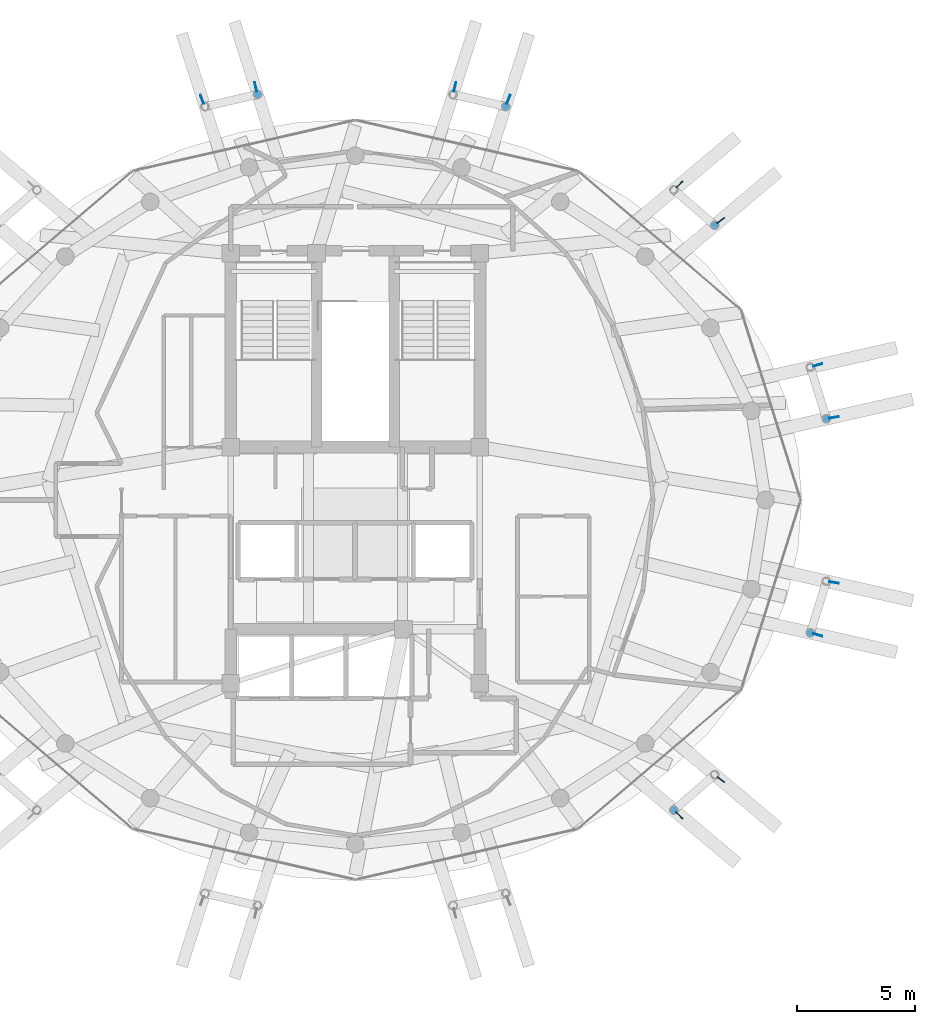
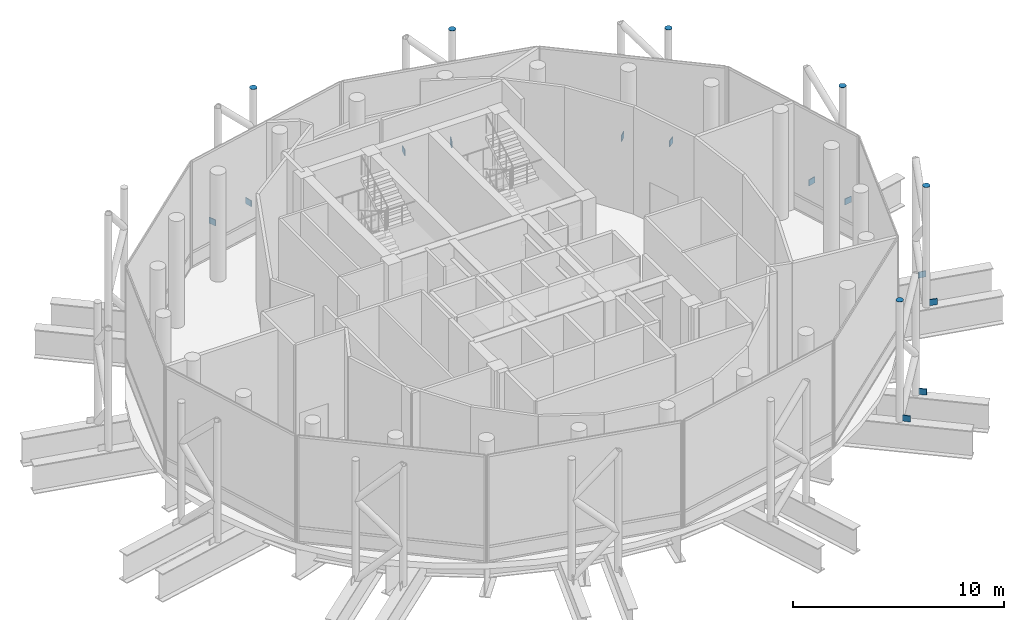
# One storey, part 24 of 26: 18 discrete accessories.
"""IFC4 building model written with IfcOpenShell, lengths in metres."""

from ifc_helpers import new_model, si_unit, direction, frame, origin, origin_2d, place, context, subcontext, project, spatial, rectangle, circle, extrude, material, type_object, element, save


model = new_model("IFC4")

# Units and contexts
model_context = context("Model", 3, precision=1e-05, world=origin(), true_north=direction((0.0, 1.0)))
body_context = subcontext(model_context, "Body", "Model", "MODEL_VIEW")
ifc_project = project(units=[si_unit("LENGTHUNIT", "METRE"), si_unit("AREAUNIT", "SQUARE_METRE"), si_unit("VOLUMEUNIT", "CUBIC_METRE"), si_unit("PLANEANGLEUNIT", "RADIAN"), si_unit("MASSUNIT", "GRAM", prefix="KILO")], contexts=[model_context])

# Site, building, storey
site_placement = place(None, origin())
site = spatial("IfcSite", under=ifc_project, at=site_placement, CompositionType="ELEMENT")
building_placement = place(site_placement, origin())
building = spatial("IfcBuilding", under=site, at=building_placement, Name="Nuhasar Tower", CompositionType="ELEMENT")
storey_placement = place(building_placement, frame((0.0, 0.0, 306.800048828125)))
storey = spatial("IfcBuildingStorey", under=building, at=storey_placement, Name="L76", CompositionType="ELEMENT", Elevation=306.800048828125)

# Discrete accessories
ifc_material = material(Name="Steel S460", Category="steel")
discrete_accessory_type_1 = type_object("IfcDiscreteAccessoryType", Name="ACC-CAP-HSS356", PredefinedType="USERDEFINED", material=ifc_material)
for number, where, z_axis, x_axis, name in (
    (1, (59.0458984375, 30.257080078125, 6.599853515625), (0.0, 0.0, 1.0), (1.0, 0.0, 0.0), "L76 Exoskeleton Chord Column EC-01A End Cap"),
    (2, (54.2958984375, 38.493896484375, 6.599853515625), (0.0, 0.0, 1.0), (1.0, 0.0, 0.0), "L76 Exoskeleton Chord Column EC-02A End Cap"),
    (3, (45.39990234375, 43.541015625, 6.599853515625), (0.0, 0.0, 1.0), (1.0, 0.0, 0.0), "L76 Exoskeleton Chord Column EC-03A End Cap"),
    (4, (34.841064453125, 44.05908203125, 6.599853515625), (0.0, 0.0, 1.0), (1.0, 0.0, 0.0), "L76 Exoskeleton Chord Column EC-04A End Cap"),
    (5, (52.553955078125, 13.60400390625, 6.599853515625), (0.0, 0.0, 1.0), (1.0, 0.0, 0.0), "L76 Exoskeleton Chord Column EC-11A End Cap"),
    (6, (58.364013671875, 21.14697265625, 6.599853515625), (0.0, 0.0, 1.0), (1.0, 0.0, 0.0), "L76 Exoskeleton Chord Column EC-12A End Cap"),
):
    element("IfcDiscreteAccessory", number, at=place(storey_placement, frame(where, z_axis=z_axis, x_axis=x_axis)), inside=storey, type_object=discrete_accessory_type_1, Name=name, ObjectType="STEEL_END_CAP", PredefinedType="USERDEFINED", context=body_context, shape_type="SweptSolid", body=[
        extrude(circle(Radius=0.177734375, at=origin_2d()), origin(), (0.0, 0.0, 1.0), 0.02001953125),
    ])
discrete_accessory_type_2 = type_object("IfcDiscreteAccessoryType", Name="ACC-GUS-40", PredefinedType="USERDEFINED", material=ifc_material)
for number, where, z_axis, x_axis, name in (
    (7, (59.368896484375, 30.31298828125, -0.35009765625), (0.0, 0.0, 1.0), (0.985452425456, 0.169951514151, 0.0), "L76 Exoskeleton Chord Column EC-01A Gusset Plate"),
    (8, (58.678955078125, 32.544921875, -0.35009765625), (0.0, 0.0, 1.0), (0.959932555661, 0.280231134213, 0.0), "L76 Exoskeleton Chord Column EC-01B Gusset Plate"),
    (9, (54.555908203125, 38.693115234375, -0.35009765625), (0.0, 0.0, 1.0), (0.794435821468, 0.607348109052, 0.0), "L76 Exoskeleton Chord Column EC-02A Gusset Plate"),
    (10, (52.7890625, 40.22509765625, -0.35009765625), (0.0, 0.0, 1.0), (0.716508950489, 0.697577898065, 0.0), "L76 Exoskeleton Chord Column EC-02B Gusset Plate"),
    (11, (45.51708984375, 43.846923828125, -0.35009765625), (0.0, 0.0, 1.0), (0.35709668178, 0.934067427899, 0.0), "L76 Exoskeleton Chord Column EC-03A Gusset Plate"),
    (12, (43.236083984375, 44.3779296875, -0.35009765625), (0.0, 0.0, 1.0), (0.234276860161, 0.972169919712, 0.0), "L76 Exoskeleton Chord Column EC-03B Gusset Plate"),
    (13, (34.763916015625, 44.3779296875, -0.35009765625), (0.0, 0.0, 1.0), (-0.234276860161, 0.972169919712, 0.0), "L76 Exoskeleton Chord Column EC-04A Gusset Plate"),
    (14, (32.48291015625, 43.846923828125, -0.35009765625), (0.0, 0.0, 1.0), (-0.35709668178, 0.934067427899, 0.0), "L76 Exoskeleton Chord Column EC-04B Gusset Plate"),
    (15, (52.7890625, 13.375, -0.35009765625), (0.0, 0.0, 1.0), (0.716508950489, -0.697577898065, 0.0), "L76 Exoskeleton Chord Column EC-11A Gusset Plate"),
    (16, (54.555908203125, 14.906982421875, -0.35009765625), (0.0, 0.0, 1.0), (0.794435821468, -0.607348109052, 0.0), "L76 Exoskeleton Chord Column EC-11B Gusset Plate"),
    (17, (58.678955078125, 21.054931640625, -0.35009765625), (0.0, 0.0, 1.0), (0.959932555661, -0.280231134213, 0.0), "L76 Exoskeleton Chord Column EC-12A Gusset Plate"),
    (18, (59.368896484375, 23.287109375, -0.35009765625), (0.0, 0.0, 1.0), (0.985452425456, -0.169951514151, 0.0), "L76 Exoskeleton Chord Column EC-12B Gusset Plate"),
):
    element("IfcDiscreteAccessory", number, at=place(storey_placement, frame(where, z_axis=z_axis, x_axis=x_axis)), inside=storey, type_object=discrete_accessory_type_2, Name=name, ObjectType="STEEL_GUSSET_PLATE", PredefinedType="USERDEFINED", context=body_context, shape_type="SweptSolid", body=[
        extrude(rectangle(XDim=0.39990234375, YDim=0.0400390625, at=origin_2d()), origin(), (0.0, 0.0, 1.0), 0.35009765625),
    ])

save(model, "model.ifc")
